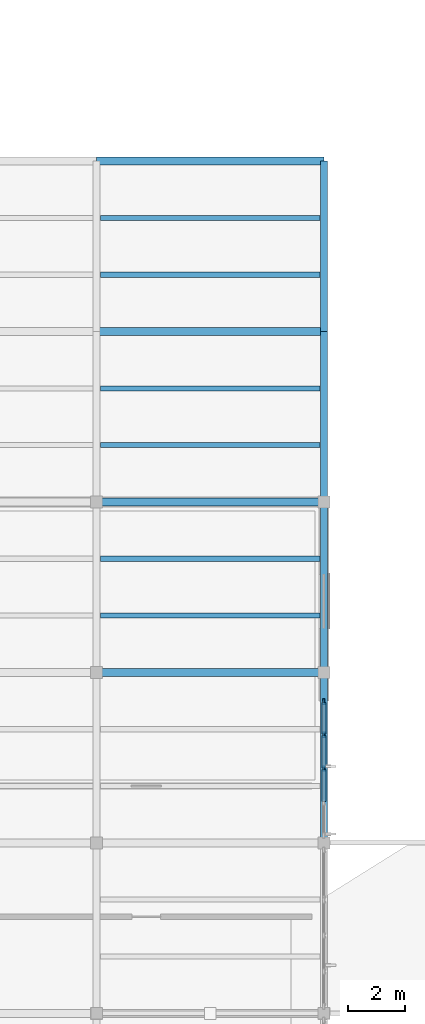
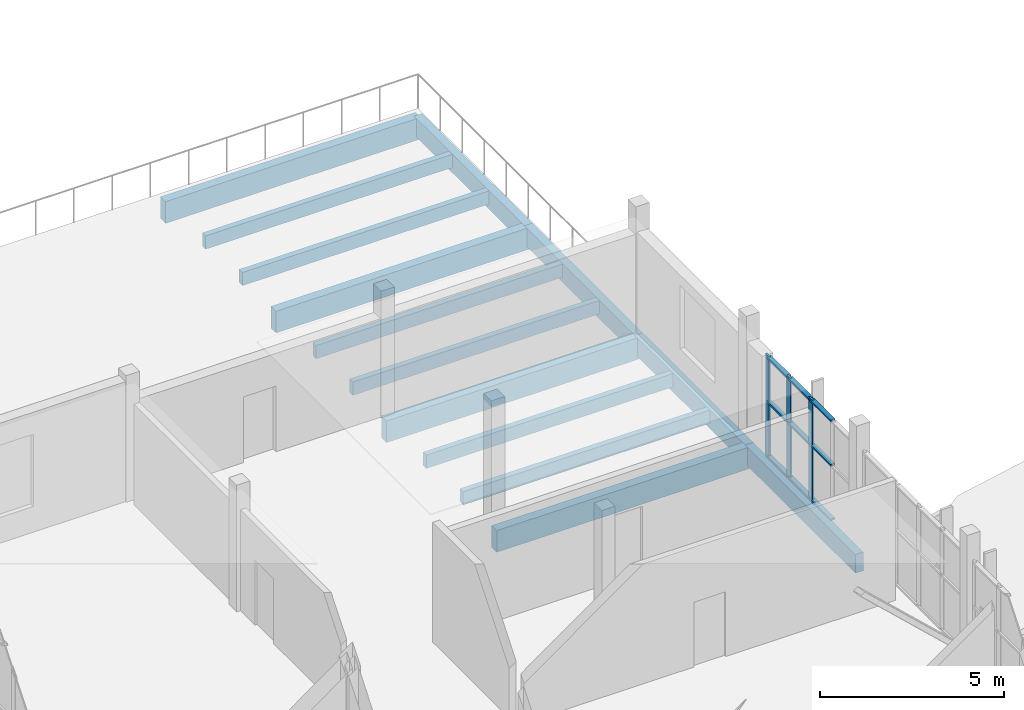
# One storey, part 23 of 45: 14 beams, 12 members, 1 element without a shape of its own.
"""IFC4 building model written with IfcOpenShell, lengths in metres."""

from ifc_helpers import new_model, si_unit, direction, frame, origin, origin_2d, place, context, subcontext, project, spatial, rectangle, extrude, material, layer, layer_set, material_profile, profile_set, type_object, element, aggregate, save


model = new_model("IFC4")

# Units and contexts
model_context = context("Model", 3, precision=1e-05, world=origin(), true_north=direction((0.0, 1.0)))
body_context = subcontext(model_context, "Body", "Model", "MODEL_VIEW")
ifc_project = project(units=[si_unit("LENGTHUNIT", "METRE"), si_unit("AREAUNIT", "SQUARE_METRE"), si_unit("VOLUMEUNIT", "CUBIC_METRE"), si_unit("PLANEANGLEUNIT", "RADIAN"), si_unit("MASSUNIT", "GRAM", prefix="KILO")], contexts=[model_context])

# Site, building, storey
site_placement = place(None, origin())
site = spatial("IfcSite", under=ifc_project, at=site_placement, CompositionType="ELEMENT")
building_placement = place(site_placement, origin())
building = spatial("IfcBuilding", under=site, at=building_placement, Name="Solvane Community Centre", CompositionType="ELEMENT")
storey_placement = place(building_placement, frame((0.0, 0.0, 13.800048828125)))
storey = spatial("IfcBuildingStorey", under=building, at=storey_placement, Name="L03", CompositionType="ELEMENT", Elevation=13.800048828125)

# Curtain wall, members
ifc_material_1 = material(Name="Anodised bronze aluminium AW-6063 T6", Category="aluminium")
ifc_layer = layer(ifc_material_1, 0.199951171875)
ifc_layer_set = layer_set([ifc_layer], Name="Anodised bronze aluminium AW-6063 T6")
curtain_wall_type = type_object("IfcCurtainWallType", Name="Courtyard Cloister Curtain Wall [48x33dm]", PredefinedType="NOTDEFINED", material=ifc_layer_set)
curtain_wall_placement = place(storey_placement, origin())
curtain_wall = element("IfcCurtainWall", 1, at=curtain_wall_placement, inside=storey, type_object=curtain_wall_type, Name="Curtain Wall CW-L03-1400_410-227", PredefinedType="NOTDEFINED")
ifc_material_profile_1 = material_profile(ifc_material_1, rectangle(XDim=0.06005859375, YDim=0.199951171875, at=origin_2d()), Name="CW-M 60x200")
ifc_profile_set_1 = profile_set([ifc_material_profile_1], Name="Anodised bronze aluminium AW-6063 T6")
member_type_1 = type_object("IfcMemberType", Name="Cloister Mullion 60x200", PredefinedType="MULLION", material=ifc_profile_set_1)
member_1_placement = place(storey_placement, frame((140.0, 40.969970703125, 0.0), z_axis=(0.0, 0.0, 1.0), x_axis=(1.0, 0.0, 0.0)))
member_1 = element("IfcMember", 2, at=member_1_placement, type_object=member_type_1, Name="CW03-48x33 mullion 1", PredefinedType="MULLION", context=body_context, shape_type="SweptSolid", body=[
    extrude(rectangle(XDim=0.06005859375, YDim=0.199951171875, at=origin_2d()), origin(), (0.0, 0.0, 1.0), 3.344970703125),
])
member_2_placement = place(storey_placement, frame((140.0, 39.80615234375, 0.0), z_axis=(0.0, 0.0, 1.0), x_axis=(1.0, 0.0, 0.0)))
member_2 = element("IfcMember", 3, at=member_2_placement, type_object=member_type_1, Name="CW03-48x33 mullion 2", PredefinedType="MULLION", context=body_context, shape_type="SweptSolid", body=[
    extrude(rectangle(XDim=0.06005859375, YDim=0.199951171875, at=origin_2d()), origin(), (0.0, 0.0, 1.0), 3.344970703125),
])
member_3_placement = place(storey_placement, frame((140.0, 38.612548828125, 0.0), z_axis=(0.0, 0.0, 1.0), x_axis=(1.0, 0.0, 0.0)))
member_3 = element("IfcMember", 4, at=member_3_placement, type_object=member_type_1, Name="CW03-48x33 mullion 3", PredefinedType="MULLION", context=body_context, shape_type="SweptSolid", body=[
    extrude(rectangle(XDim=0.06005859375, YDim=0.199951171875, at=origin_2d()), origin(), (0.0, 0.0, 1.0), 3.344970703125),
])
ifc_material_profile_2 = material_profile(ifc_material_1, rectangle(XDim=0.139892578125, YDim=0.06005859375, at=origin_2d()), Name="CW-T 60x140")
ifc_profile_set_2 = profile_set([ifc_material_profile_2], Name="Anodised bronze aluminium AW-6063 T6")
member_type_2 = type_object("IfcMemberType", Name="Cloister Transom 60x140", PredefinedType="USERDEFINED", material=ifc_profile_set_2)
member_4_placement = place(storey_placement, frame((140.0, 40.93994140625, 0.030029296875), z_axis=(0.0, -1.0, 0.0), x_axis=(1.0, 0.0, 0.0)))
member_4 = element("IfcMember", 5, at=member_4_placement, type_object=member_type_2, Name="CW03-48x33 transom 1.1", ObjectType="TRANSOM", PredefinedType="USERDEFINED", context=body_context, shape_type="SweptSolid", body=[
    extrude(rectangle(XDim=0.139892578125, YDim=0.06005859375, at=origin_2d()), origin(), (0.0, 0.0, 1.0), 1.103759765625),
])
member_5_placement = place(storey_placement, frame((140.0, 40.93994140625, 1.83984375), z_axis=(0.0, -1.0, 0.0), x_axis=(1.0, 0.0, 0.0)))
member_5 = element("IfcMember", 6, at=member_5_placement, type_object=member_type_2, Name="CW03-48x33 transom 1.2", ObjectType="TRANSOM", PredefinedType="USERDEFINED", context=body_context, shape_type="SweptSolid", body=[
    extrude(rectangle(XDim=0.139892578125, YDim=0.06005859375, at=origin_2d()), origin(), (0.0, 0.0, 1.0), 1.103759765625),
])
member_6_placement = place(storey_placement, frame((140.0, 40.93994140625, 3.31494140625), z_axis=(0.0, -1.0, 0.0), x_axis=(1.0, 0.0, 0.0)))
member_6 = element("IfcMember", 7, at=member_6_placement, type_object=member_type_2, Name="CW03-48x33 transom 1.3", ObjectType="TRANSOM", PredefinedType="USERDEFINED", context=body_context, shape_type="SweptSolid", body=[
    extrude(rectangle(XDim=0.139892578125, YDim=0.06005859375, at=origin_2d()), origin(), (0.0, 0.0, 1.0), 1.103759765625),
])
member_7_placement = place(storey_placement, frame((140.0, 39.7763671875, 0.030029296875), z_axis=(0.0, -1.0, 0.0), x_axis=(1.0, 0.0, 0.0)))
member_7 = element("IfcMember", 8, at=member_7_placement, type_object=member_type_2, Name="CW03-48x33 transom 2.1", ObjectType="TRANSOM", PredefinedType="USERDEFINED", context=body_context, shape_type="SweptSolid", body=[
    extrude(rectangle(XDim=0.139892578125, YDim=0.06005859375, at=origin_2d()), origin(), (0.0, 0.0, 1.0), 1.1337890625),
])
member_8_placement = place(storey_placement, frame((140.0, 39.7763671875, 1.83984375), z_axis=(0.0, -1.0, 0.0), x_axis=(1.0, 0.0, 0.0)))
member_8 = element("IfcMember", 9, at=member_8_placement, type_object=member_type_2, Name="CW03-48x33 transom 2.2", ObjectType="TRANSOM", PredefinedType="USERDEFINED", context=body_context, shape_type="SweptSolid", body=[
    extrude(rectangle(XDim=0.139892578125, YDim=0.06005859375, at=origin_2d()), origin(), (0.0, 0.0, 1.0), 1.1337890625),
])
member_9_placement = place(storey_placement, frame((140.0, 39.7763671875, 3.31494140625), z_axis=(0.0, -1.0, 0.0), x_axis=(1.0, 0.0, 0.0)))
member_9 = element("IfcMember", 10, at=member_9_placement, type_object=member_type_2, Name="CW03-48x33 transom 2.3", ObjectType="TRANSOM", PredefinedType="USERDEFINED", context=body_context, shape_type="SweptSolid", body=[
    extrude(rectangle(XDim=0.139892578125, YDim=0.06005859375, at=origin_2d()), origin(), (0.0, 0.0, 1.0), 1.1337890625),
])
member_10_placement = place(storey_placement, frame((140.0, 38.58251953125, 0.030029296875), z_axis=(0.0, -1.0, 0.0), x_axis=(1.0, 0.0, 0.0)))
member_10 = element("IfcMember", 11, at=member_10_placement, type_object=member_type_2, Name="CW03-48x33 transom 3.1", ObjectType="TRANSOM", PredefinedType="USERDEFINED", context=body_context, shape_type="SweptSolid", body=[
    extrude(rectangle(XDim=0.139892578125, YDim=0.06005859375, at=origin_2d()), origin(), (0.0, 0.0, 1.0), 1.1337890625),
])
member_11_placement = place(storey_placement, frame((140.0, 38.58251953125, 1.83984375), z_axis=(0.0, -1.0, 0.0), x_axis=(1.0, 0.0, 0.0)))
member_11 = element("IfcMember", 12, at=member_11_placement, type_object=member_type_2, Name="CW03-48x33 transom 3.2", ObjectType="TRANSOM", PredefinedType="USERDEFINED", context=body_context, shape_type="SweptSolid", body=[
    extrude(rectangle(XDim=0.139892578125, YDim=0.06005859375, at=origin_2d()), origin(), (0.0, 0.0, 1.0), 1.1337890625),
])
member_12_placement = place(storey_placement, frame((140.0, 38.58251953125, 3.31494140625), z_axis=(0.0, -1.0, 0.0), x_axis=(1.0, 0.0, 0.0)))
member_12 = element("IfcMember", 13, at=member_12_placement, type_object=member_type_2, Name="CW03-48x33 transom 3.3", ObjectType="TRANSOM", PredefinedType="USERDEFINED", context=body_context, shape_type="SweptSolid", body=[
    extrude(rectangle(XDim=0.139892578125, YDim=0.06005859375, at=origin_2d()), origin(), (0.0, 0.0, 1.0), 1.1337890625),
])
aggregate(curtain_wall, [member_1, member_2, member_3, member_4, member_5, member_6, member_7, member_8, member_9, member_10, member_11, member_12])

# Beams
ifc_material_2 = material(Name="Glulam GL28h", Category="wood")
ifc_material_profile_3 = material_profile(ifc_material_2, rectangle(XDim=0.25, YDim=0.6201171875, at=origin_2d()), Name="GL28h 250x620")
ifc_profile_set_3 = profile_set([ifc_material_profile_3], Name="Glulam GL28h")
beam_type_1 = type_object("IfcBeamType", Name="Glulam Bay Beam 250x620", PredefinedType="BEAM", material=ifc_profile_set_3)
for number, where, z_axis, x_axis, name in (
    (14, (140.0, 36.0, -0.530029296875), (0.0, 1.0, 0.0), (-1.0, 0.0, 0.0), "Beam BM-L03-1400_360-1400_420"),
    (15, (140.0, 42.0, -0.530029296875), (0.0, 1.0, 0.0), (-1.0, 0.0, 0.0), "Beam BM-L03-1400_420-1400_480"),
    (16, (140.0, 48.0, -0.530029296875), (0.0, 1.0, 0.0), (-1.0, 0.0, 0.0), "Beam BM-L03-1400_480-1400_540"),
    (17, (140.0, 54.0, -0.530029296875), (0.0, 1.0, 0.0), (-1.0, 0.0, 0.0), "Beam BM-L03-1400_540-1400_600"),
):
    element("IfcBeam", number, at=place(storey_placement, frame(where, z_axis=z_axis, x_axis=x_axis)), inside=storey, type_object=beam_type_1, Name=name, PredefinedType="BEAM", context=body_context, shape_type="SweptSolid", body=[
        extrude(rectangle(XDim=0.25, YDim=0.6201171875, at=origin_2d()), origin(), (0.0, 0.0, 1.0), 6.0),
    ])
ifc_material_profile_4 = material_profile(ifc_material_2, rectangle(XDim=0.179931640625, YDim=0.43994140625, at=origin_2d()), Name="GL28h 180x440")
ifc_profile_set_4 = profile_set([ifc_material_profile_4], Name="Glulam GL28h")
beam_type_2 = type_object("IfcBeamType", Name="Glulam Floor Joist 180x440", PredefinedType="JOIST", material=ifc_profile_set_4)
for number, where, z_axis, x_axis, name in (
    (18, (132.1298828125, 44.0, -0.43994140625), (1.0, 0.0, 0.0), (0.0, 1.0, 0.0), "Beam BM-L03-1321_440-1399_440"),
    (19, (132.1298828125, 46.0, -0.43994140625), (1.0, 0.0, 0.0), (0.0, 1.0, 0.0), "Beam BM-L03-1321_460-1399_460"),
    (20, (132.1298828125, 50.0, -0.43994140625), (1.0, 0.0, 0.0), (0.0, 1.0, 0.0), "Beam BM-L03-1321_500-1399_500"),
    (21, (132.1298828125, 52.0, -0.43994140625), (1.0, 0.0, 0.0), (0.0, 1.0, 0.0), "Beam BM-L03-1321_520-1399_520"),
    (22, (132.1298828125, 56.0, -0.43994140625), (1.0, 0.0, 0.0), (0.0, 1.0, 0.0), "Beam BM-L03-1321_560-1399_560"),
    (23, (132.1298828125, 58.0, -0.43994140625), (1.0, 0.0, 0.0), (0.0, 1.0, 0.0), "Beam BM-L03-1321_580-1399_580"),
):
    element("IfcBeam", number, at=place(storey_placement, frame(where, z_axis=z_axis, x_axis=x_axis)), inside=storey, type_object=beam_type_2, Name=name, PredefinedType="JOIST", context=body_context, shape_type="SweptSolid", body=[
        extrude(rectangle(XDim=0.179931640625, YDim=0.43994140625, at=origin_2d()), origin(), (0.0, 0.0, 1.0), 7.740234375),
    ])
ifc_material_profile_5 = material_profile(ifc_material_2, rectangle(XDim=0.280029296875, YDim=0.719970703125, at=origin_2d()), Name="GL28h 280x720")
ifc_profile_set_5 = profile_set([ifc_material_profile_5], Name="Glulam GL28h")
beam_type_3 = type_object("IfcBeamType", Name="Glulam Long-Span Girder 280x720", PredefinedType="USERDEFINED", material=ifc_profile_set_5)
for number, where, z_axis, x_axis, name in (
    (24, (132.0, 42.0, -0.580078125), (1.0, 0.0, 0.0), (0.0, 1.0, 0.0), "Beam BM-L03-1320_420-1400_420"),
    (25, (132.0, 48.0, -0.580078125), (1.0, 0.0, 0.0), (0.0, 1.0, 0.0), "Beam BM-L03-1320_480-1400_480"),
    (26, (132.0, 54.0, -0.580078125), (1.0, 0.0, 0.0), (0.0, 1.0, 0.0), "Beam BM-L03-1320_540-1400_540"),
    (27, (132.0, 60.0, -0.580078125), (1.0, 0.0, 0.0), (0.0, 1.0, 0.0), "Beam BM-L03-1320_600-1400_600"),
):
    element("IfcBeam", number, at=place(storey_placement, frame(where, z_axis=z_axis, x_axis=x_axis)), inside=storey, type_object=beam_type_3, Name=name, ObjectType="GIRDER", PredefinedType="USERDEFINED", context=body_context, shape_type="SweptSolid", body=[
        extrude(rectangle(XDim=0.280029296875, YDim=0.719970703125, at=origin_2d()), origin(), (0.0, 0.0, 1.0), 8.0),
    ])

save(model, "model.ifc")
